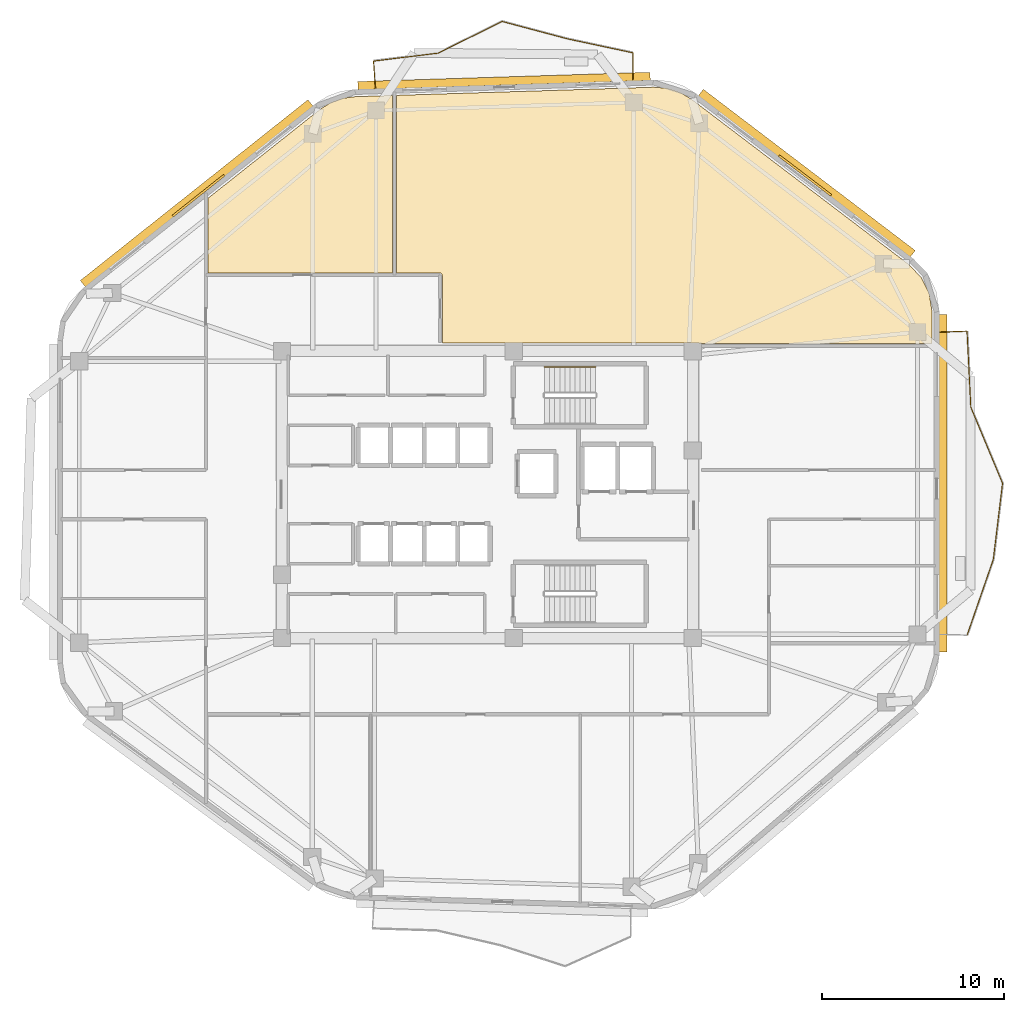
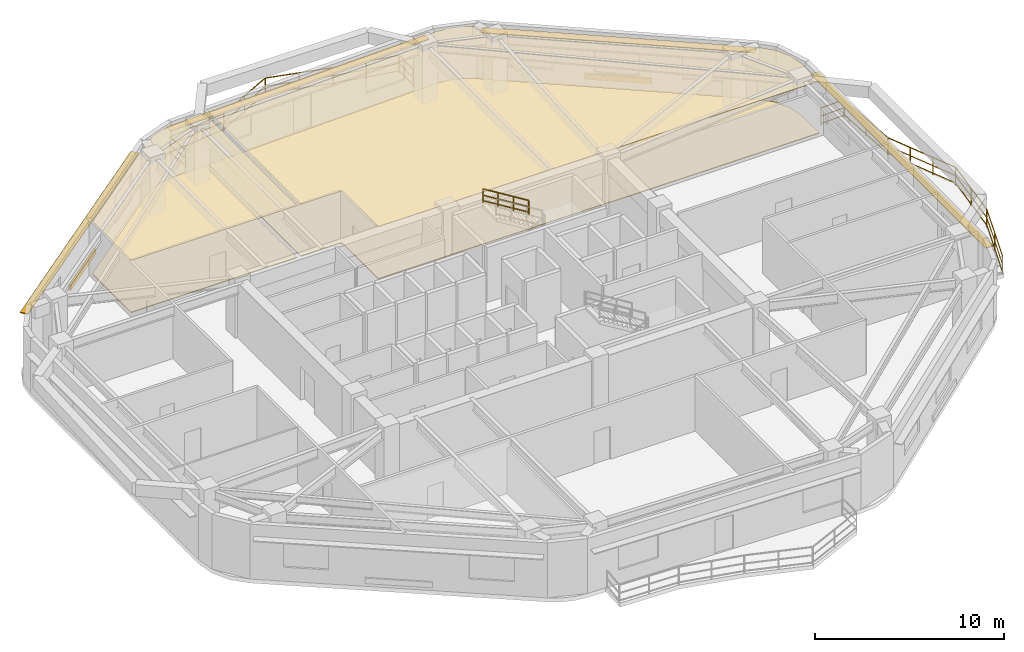
# One storey, part 8 of 8: 12 railings, 6 shading devices, 4 coverings.
"""IFC4 building model written with IfcOpenShell, lengths in metres."""

import ifcopenshell
import ifcopenshell.guid

model = None  # the IFC model being written
_history = None  # IfcOwnerHistory: only IFC2X3 demands one
_inside = {}  # id of a spatial element -> (the spatial element, [elements in it])
_under = {}  # id of a project, library or spatial element -> (it, [spatial elements below it])
_declared = {}  # id of a project -> (the project, [libraries it declares])
_typed = {}  # id of a type object -> (the type object, [elements of that type])
_made_of = {}  # id of a material, layer set ... -> (it, [elements and type objects made of it])


def new_model(schema):
    """Start an empty IFC model of exactly this schema.

    Asked for "IFC4X3", IfcOpenShell would pick the latest addendum, in which some entities
    have other attributes; the version numbers below select the first issue.
    IFC2X3 requires an IfcOwnerHistory on every rooted entity: one is made here for all.
    """
    global model, _history
    if schema == "IFC4X3":
        model = ifcopenshell.file(schema_version=(4, 3, 0, 0))
    else:
        model = ifcopenshell.file(schema=schema)
    _inside.clear()
    _under.clear()
    _declared.clear()
    _typed.clear()
    _made_of.clear()
    _history = None
    if model.schema == "IFC2X3":
        org = make("IfcOrganization", Name="unknown")
        user = make(
            "IfcPersonAndOrganization",
            ThePerson=make("IfcPerson", FamilyName="unknown"),
            TheOrganization=org,
        )
        app = make(
            "IfcApplication",
            ApplicationDeveloper=org,
            Version="unknown",
            ApplicationFullName="unknown",
            ApplicationIdentifier="unknown",
        )
        _history = make(
            "IfcOwnerHistory",
            OwningUser=user,
            OwningApplication=app,
            ChangeAction="ADDED",
            CreationDate=0,
        )
    return model


def make(cls, **values):
    """One entity of the class cls with the attributes given. An attribute that is None is left unset."""
    return model.create_entity(
        cls, **{name: value for name, value in values.items() if value is not None}
    )


def rooted(cls, **values):
    """An entity with a GlobalId (a new one), such as an element, a storey or a relation."""
    return make(cls, GlobalId=ifcopenshell.guid.new(), OwnerHistory=_history, **values)


def si_unit(unit_type, name, prefix=None):
    """IfcSIUnit, for example si_unit("LENGTHUNIT", "METRE", prefix="MILLI")."""
    return make("IfcSIUnit", UnitType=unit_type, Prefix=prefix, Name=name)


def assignment(units):
    """IfcUnitAssignment: the units of a project."""
    return None if units is None else make("IfcUnitAssignment", Units=units)


def point(xyz):
    """IfcCartesianPoint."""
    return None if xyz is None else make("IfcCartesianPoint", Coordinates=xyz)


def direction(xyz):
    """IfcDirection."""
    return None if xyz is None else make("IfcDirection", DirectionRatios=xyz)


def frame(location, z_axis=None, x_axis=None):
    """IfcAxis2Placement3D, a coordinate frame: its origin and axes. An axis left out is left unset."""
    return make(
        "IfcAxis2Placement3D",
        Location=point(location),
        Axis=direction(z_axis),
        RefDirection=direction(x_axis),
    )


def frame_2d(location, x_axis=None):
    """IfcAxis2Placement2D, a coordinate frame in the plane: its origin and x axis."""
    return make(
        "IfcAxis2Placement2D", Location=point(location), RefDirection=direction(x_axis)
    )


def origin():
    """The frame at (0, 0, 0) with its axes left unset."""
    return frame((0.0, 0.0, 0.0))


def origin_2d():
    """The frame at (0, 0) in the plane with its x axis left unset."""
    return frame_2d((0.0, 0.0))


def place(relative_to, where):
    """IfcLocalPlacement: puts the frame where relative to a parent placement (None: the world)."""
    return make(
        "IfcLocalPlacement", PlacementRelTo=relative_to, RelativePlacement=where
    )


def context(
    kind, dimensions, precision=None, world=None, true_north=None, identifier=None
):
    """IfcGeometricRepresentationContext, for example the 3D "Model" context."""
    return make(
        "IfcGeometricRepresentationContext",
        ContextIdentifier=identifier,
        ContextType=kind,
        CoordinateSpaceDimension=dimensions,
        Precision=precision,
        WorldCoordinateSystem=world,
        TrueNorth=true_north,
    )


def subcontext(parent, identifier, kind, view, scale=None):
    """IfcGeometricRepresentationSubContext, for example "Body" below "Model"."""
    return make(
        "IfcGeometricRepresentationSubContext",
        ContextIdentifier=identifier,
        ContextType=kind,
        ParentContext=parent,
        TargetScale=scale,
        TargetView=view,
    )


def project(units=None, contexts=None):
    """IfcProject with its units and contexts."""
    return rooted(
        "IfcProject",
        Name="project",
        RepresentationContexts=contexts,
        UnitsInContext=assignment(units),
    )


def spatial(cls, under=None, at=None, **own):
    """A site, building, storey or space (cls), placed at a placement, below another one or the project."""
    s = rooted(cls, ObjectPlacement=at, **own)
    if under is not None:
        _under.setdefault(under.id(), (under, []))[1].append(s)
    return s


def polyline(points):
    """IfcPolyline through the points."""
    return make("IfcPolyline", Points=[point(p) for p in points])


def profile(cls, at=None, kind="AREA", **sizes):
    """A parametric profile (cls). Its sizes go by their IFC names, for example OverallWidth=200.0."""
    return make(cls, ProfileType=kind, Position=at, **sizes)


def rectangle(**sizes):
    """IfcRectangleProfileDef."""
    return profile("IfcRectangleProfileDef", **sizes)


def outline(outer, holes=None, kind="AREA"):
    """IfcArbitraryClosedProfileDef: a profile drawn as a closed curve; with holes, ...WithVoids."""
    if holes is None:
        return make("IfcArbitraryClosedProfileDef", ProfileType=kind, OuterCurve=outer)
    return make(
        "IfcArbitraryProfileDefWithVoids",
        ProfileType=kind,
        OuterCurve=outer,
        InnerCurves=holes,
    )


def extrude(swept, where, along, depth):
    """IfcExtrudedAreaSolid: the profile swept, set in the frame where, extruded along a direction by depth."""
    return make(
        "IfcExtrudedAreaSolid",
        SweptArea=swept,
        Position=where,
        ExtrudedDirection=direction(along),
        Depth=depth,
    )


def shape(context_of_items, identifier, shape_type, items):
    """IfcShapeRepresentation: the items that make up one representation, for example the "Body"."""
    return make(
        "IfcShapeRepresentation",
        ContextOfItems=context_of_items,
        RepresentationIdentifier=identifier,
        RepresentationType=shape_type,
        Items=items,
    )


def material(Name=None, Category=None):
    """IfcMaterial."""
    return make("IfcMaterial", Name=Name, Category=Category)


def layer(
    of_material, thickness, ventilated=None, Name=None, Category=None, Priority=None
):
    """IfcMaterialLayer: one layer of a wall or slab, of a material (None: an air gap)."""
    return make(
        "IfcMaterialLayer",
        Material=of_material,
        LayerThickness=thickness,
        IsVentilated=ventilated,
        Name=Name,
        Category=Category,
        Priority=Priority,
    )


def layer_set(layers, Name=None):
    """IfcMaterialLayerSet."""
    return make("IfcMaterialLayerSet", MaterialLayers=layers, LayerSetName=Name)


def made_of(thing, what):
    """Note that an element or type object is made of a material, layer set ...; save() writes the relation."""
    if what is not None:
        _made_of.setdefault(what.id(), (what, []))[1].append(thing)
    return thing


def type_object(cls, material=None, **own):
    """A type object (cls), such as IfcWallType, which elements share."""
    return made_of(rooted(cls, **own), material)


def element(
    cls,
    number,
    at=None,
    inside=None,
    cuts=None,
    type_object=None,
    material=None,
    context=None,
    identifier="Body",
    shape_type=None,
    held_by="IfcProductDefinitionShape",
    body=None,
    shapes=None,
    **own,
):
    """One element of the class cls, such as IfcWall. Its Tag is "e" and its number.

    at: its placement. inside: the storey or other place that contains it. cuts: it is an
    opening in that element (IfcRelVoidsElement). A single representation is given by context,
    identifier, shape_type and body (its items); several are given by shapes. held_by: the class
    of the entity that holds the representations. save() writes the other relations.
    """
    e = rooted(cls, Tag="e%d" % number, ObjectPlacement=at, **own)
    if body is not None:
        shapes = [shape(context, identifier, shape_type, body)]
    if shapes is not None:
        e.Representation = make(held_by, Representations=shapes)
    if inside is not None:
        _inside.setdefault(inside.id(), (inside, []))[1].append(e)
    if cuts is not None:
        rooted(
            "IfcRelVoidsElement", RelatingBuildingElement=cuts, RelatedOpeningElement=e
        )
    if type_object is not None:
        _typed.setdefault(type_object.id(), (type_object, []))[1].append(e)
    return made_of(e, material)


def aggregate(whole, parts):
    """IfcRelAggregates: a whole, such as a stair, and the parts it consists of."""
    return rooted("IfcRelAggregates", RelatingObject=whole, RelatedObjects=parts)


def save(model, path):
    """Write the relations noted so far, then the file.

    IfcRelAggregates (storeys below a building ...), IfcRelContainedInSpatialStructure (elements
    in a storey), IfcRelDefinesByType, IfcRelAssociatesMaterial and IfcRelDeclares: one each for
    every whole, place, type object, material and project.
    """
    for whole, parts in _under.values():
        aggregate(whole, parts)
    for where, things in _inside.values():
        rooted(
            "IfcRelContainedInSpatialStructure",
            RelatedElements=things,
            RelatingStructure=where,
        )
    for kind, things in _typed.values():
        rooted("IfcRelDefinesByType", RelatedObjects=things, RelatingType=kind)
    for what, things in _made_of.values():
        rooted("IfcRelAssociatesMaterial", RelatedObjects=things, RelatingMaterial=what)
    for by, libraries in _declared.values():
        rooted("IfcRelDeclares", RelatingContext=by, RelatedDefinitions=libraries)
    model.write(path)


model = new_model("IFC4")

# Units and contexts
model_context = context("Model", 3, precision=1e-05, world=origin(), true_north=direction((0.0, 1.0)))
body_context = subcontext(model_context, "Body", "Model", "MODEL_VIEW")
ifc_project = project(units=[si_unit("LENGTHUNIT", "METRE"), si_unit("AREAUNIT", "SQUARE_METRE"), si_unit("VOLUMEUNIT", "CUBIC_METRE"), si_unit("PLANEANGLEUNIT", "RADIAN"), si_unit("MASSUNIT", "GRAM", prefix="KILO")], contexts=[model_context])

# Site, building, storey
site_placement = place(None, origin())
site = spatial("IfcSite", under=ifc_project, at=site_placement, CompositionType="ELEMENT")
building_placement = place(site_placement, origin())
building = spatial("IfcBuilding", under=site, at=building_placement, Name="Zulverin Broadcast Headquarters", CompositionType="ELEMENT")
storey_placement = place(building_placement, frame((0.0, 0.0, 182.0)))
storey = spatial("IfcBuildingStorey", under=building, at=storey_placement, Name="L46", CompositionType="ELEMENT", Elevation=182.0)

# Coverings
ifc_material_1 = material(Name="Perforated pale-metal acoustic baffle ceiling", Category="aluminium")
ifc_layer_1 = layer(ifc_material_1, 0.0400390625, Name="Perforated pale-metal acoustic baffle ceiling", Category="aluminium")
ifc_layer_set_1 = layer_set([ifc_layer_1], Name="Perforated pale-metal acoustic baffle ceiling")
covering_type_1 = type_object("IfcCoveringType", Name="COV-CEIL-ACOU", PredefinedType="CEILING", material=ifc_layer_set_1)
covering_1_placement = place(storey_placement, frame((0.0, 0.0, 3.360107421875)))
element("IfcCovering", 1, at=covering_1_placement, inside=storey, type_object=covering_type_1, Name="L46 Acoustic Baffle Ceiling 01", PredefinedType="CEILING", context=body_context, shape_type="SweptSolid", body=[
    extrude(outline(polyline([(31.780029296875, 37.3720703125), (31.780029296875, 47.10400390625), (29.73193359375, 47.0400390625), (29.031982421875, 46.944091796875), (28.39599609375, 46.7080078125), (27.800048828125, 46.33203125), (21.66796875, 41.468017578125), (21.66796875, 37.3720703125), (31.780029296875, 37.3720703125)])), origin(), (0.0, 0.0, 1.0), 0.039794921875),
])
covering_2_placement = place(storey_placement, frame((0.0, 0.0, 3.360107421875)))
element("IfcCovering", 2, at=covering_2_placement, inside=storey, type_object=covering_type_1, Name="L46 Acoustic Baffle Ceiling 02", PredefinedType="CEILING", context=body_context, shape_type="SweptSolid", body=[
    extrude(outline(polyline([(34.3720703125, 37.3720703125), (34.384033203125, 37.367919921875), (34.39208984375, 37.367919921875), (34.39990234375, 37.364013671875), (34.407958984375, 37.364013671875), (34.419921875, 37.360107421875), (34.427978515625, 37.35595703125), (34.43603515625, 37.35205078125), (34.447998046875, 37.343994140625), (34.4599609375, 37.3359375), (34.468017578125, 37.327880859375), (34.47607421875, 37.320068359375), (34.48388671875, 37.31201171875), (34.491943359375, 37.300048828125), (34.5, 37.2880859375), (34.50390625, 37.280029296875), (34.508056640625, 37.27197265625), (34.511962890625, 37.263916015625), (34.51611328125, 37.251953125), (34.51611328125, 37.243896484375), (34.52001953125, 37.23193359375), (34.52001953125, 37.219970703125), (34.52001953125, 33.52001953125), (48.568115234375, 33.52001953125), (48.580078125, 33.52001953125), (48.592041015625, 33.51611328125), (48.60009765625, 33.51611328125), (48.612060546875, 33.511962890625), (48.6201171875, 33.508056640625), (48.635986328125, 33.5), (61.39990234375, 33.5), (61.39990234375, 35.239990234375), (61.243896484375, 36.236083984375), (60.81201171875, 37.112060546875), (60.112060546875, 37.840087890625), (48.2080078125, 46.89208984375), (47.568115234375, 47.27587890625), (46.8759765625, 47.49609375), (46.1279296875, 47.56005859375), (43.404052734375, 47.471923828125), (32.02001953125, 47.112060546875), (32.02001953125, 37.3720703125), (34.360107421875, 37.3720703125), (34.3720703125, 37.3720703125)])), origin(), (0.0, 0.0, 1.0), 0.039794921875),
])
ifc_material_2 = material(Name="Anti-static broadcast raised access flooring", Category="stone")
ifc_layer_2 = layer(ifc_material_2, 0.050048828125, Name="Anti-static broadcast raised access flooring", Category="stone")
ifc_layer_set_2 = layer_set([ifc_layer_2], Name="Anti-static broadcast raised access flooring")
covering_type_2 = type_object("IfcCoveringType", Name="COV-FLR-RAISED", PredefinedType="FLOORING", material=ifc_layer_set_2)
covering_3_placement = place(storey_placement, origin())
element("IfcCovering", 3, at=covering_3_placement, inside=storey, type_object=covering_type_2, Name="L46 Broadcast Raised Access Flooring 01", PredefinedType="FLOORING", context=body_context, shape_type="SweptSolid", body=[
    extrude(outline(polyline([(31.780029296875, 37.3720703125), (31.780029296875, 47.10400390625), (29.73193359375, 47.0400390625), (29.031982421875, 46.944091796875), (28.39599609375, 46.7080078125), (27.800048828125, 46.33203125), (21.66796875, 41.468017578125), (21.66796875, 37.3720703125), (31.780029296875, 37.3720703125)])), origin(), (0.0, 0.0, 1.0), 0.050048828125),
])
covering_4_placement = place(storey_placement, origin())
element("IfcCovering", 4, at=covering_4_placement, inside=storey, type_object=covering_type_2, Name="L46 Broadcast Raised Access Flooring 02", PredefinedType="FLOORING", context=body_context, shape_type="SweptSolid", body=[
    extrude(outline(polyline([(34.3720703125, 37.3720703125), (34.384033203125, 37.367919921875), (34.39208984375, 37.367919921875), (34.39990234375, 37.364013671875), (34.407958984375, 37.364013671875), (34.419921875, 37.360107421875), (34.427978515625, 37.35595703125), (34.43603515625, 37.35205078125), (34.447998046875, 37.343994140625), (34.4599609375, 37.3359375), (34.468017578125, 37.327880859375), (34.47607421875, 37.320068359375), (34.48388671875, 37.31201171875), (34.491943359375, 37.300048828125), (34.5, 37.2880859375), (34.50390625, 37.280029296875), (34.508056640625, 37.27197265625), (34.511962890625, 37.263916015625), (34.51611328125, 37.251953125), (34.51611328125, 37.243896484375), (34.52001953125, 37.23193359375), (34.52001953125, 37.219970703125), (34.52001953125, 33.52001953125), (48.568115234375, 33.52001953125), (48.580078125, 33.52001953125), (48.592041015625, 33.51611328125), (48.60009765625, 33.51611328125), (48.612060546875, 33.511962890625), (48.6201171875, 33.508056640625), (48.635986328125, 33.5), (61.39990234375, 33.5), (61.39990234375, 35.239990234375), (61.243896484375, 36.236083984375), (60.81201171875, 37.112060546875), (60.112060546875, 37.840087890625), (48.2080078125, 46.89208984375), (47.568115234375, 47.27587890625), (46.8759765625, 47.49609375), (46.1279296875, 47.56005859375), (43.404052734375, 47.471923828125), (32.02001953125, 47.112060546875), (32.02001953125, 37.3720703125), (34.360107421875, 37.3720703125), (34.3720703125, 37.3720703125)])), origin(), (0.0, 0.0, 1.0), 0.050048828125),
])

# Railings
ifc_material_3 = material(Name="Brushed stainless steel & laminated glass balustrade", Category="steel")
railing_type_1 = type_object("IfcRailingType", Name="RL-GUARD-1150", PredefinedType="GUARDRAIL", material=ifc_material_3)
railing_1_placement = place(storey_placement, frame((63.324951171875, 17.4833984375, 0.0)))
element("IfcRailing", 5, at=railing_1_placement, inside=storey, type_object=railing_type_1, Name="L46 Vertical-Forest Balcony Guardrail BAL_E Segment 02", PredefinedType="GUARDRAIL", context=body_context, shape_type="SweptSolid", body=[
    extrude(rectangle(XDim=0.048095703125, YDim=0.048095703125, at=origin_2d()), frame((0.0, 0.0, 1.1259765625), z_axis=(0.326906098992, 0.94505682498, 0.0), x_axis=(-0.94505682498, 0.326906098992, 0.0)), (0.0, 0.0, 1.0), 4.388427734375),
    extrude(rectangle(XDim=0.0419921875, YDim=0.0419921875, at=origin_2d()), frame((0.0, 0.0, 0.597900390625), z_axis=(0.326906098992, 0.94505682498, 0.0), x_axis=(-0.94505682498, 0.326906098992, 0.0)), (0.0, 0.0, 1.0), 4.388427734375),
    extrude(rectangle(XDim=0.0419921875, YDim=0.0419921875, at=origin_2d()), frame((0.0, 0.0, 0.1201171875), z_axis=(0.326906098992, 0.94505682498, 0.0), x_axis=(-0.94505682498, 0.326906098992, 0.0)), (0.0, 0.0, 1.0), 4.388427734375),
    extrude(rectangle(XDim=0.0419921875, YDim=0.0419921875, at=origin_2d()), origin(), (0.0, 0.0, 1.0), 1.101806640625),
    extrude(rectangle(XDim=0.0419921875, YDim=0.0419921875, at=origin_2d()), frame((0.71728515625, 2.07373046875, 0.0)), (0.0, 0.0, 1.0), 1.101806640625),
    extrude(rectangle(XDim=0.0419921875, YDim=0.0419921875, at=origin_2d()), frame((1.4345703125, 4.147216796875, 0.0)), (0.0, 0.0, 1.0), 1.101806640625),
])
railing_2_placement = place(storey_placement, frame((64.76611328125, 21.65966796875, 0.0)))
element("IfcRailing", 6, at=railing_2_placement, inside=storey, type_object=railing_type_1, Name="L46 Vertical-Forest Balcony Guardrail BAL_E Segment 03", PredefinedType="GUARDRAIL", context=body_context, shape_type="SweptSolid", body=[
    extrude(rectangle(XDim=0.048095703125, YDim=0.048095703125, at=origin_2d()), frame((0.0, 0.0, 1.1259765625), z_axis=(0.12025629247, 0.992742879159, 0.0), x_axis=(-0.992742879159, 0.12025629247, 0.0)), (0.0, 0.0, 1.0), 4.176025390625),
    extrude(rectangle(XDim=0.0419921875, YDim=0.0419921875, at=origin_2d()), frame((0.0, 0.0, 0.597900390625), z_axis=(0.12025629247, 0.992742879159, 0.0), x_axis=(-0.992742879159, 0.12025629247, 0.0)), (0.0, 0.0, 1.0), 4.176025390625),
    extrude(rectangle(XDim=0.0419921875, YDim=0.0419921875, at=origin_2d()), frame((0.0, 0.0, 0.1201171875), z_axis=(0.12025629247, 0.992742879159, 0.0), x_axis=(-0.992742879159, 0.12025629247, 0.0)), (0.0, 0.0, 1.0), 4.176025390625),
    extrude(rectangle(XDim=0.0419921875, YDim=0.0419921875, at=origin_2d()), origin(), (0.0, 0.0, 1.0), 1.101806640625),
    extrude(rectangle(XDim=0.0419921875, YDim=0.0419921875, at=origin_2d()), frame((0.2509765625, 2.07275390625, 0.0)), (0.0, 0.0, 1.0), 1.101806640625),
    extrude(rectangle(XDim=0.0419921875, YDim=0.0419921875, at=origin_2d()), frame((0.502197265625, 4.145751953125, 0.0)), (0.0, 0.0, 1.0), 1.101806640625),
])
railing_3_placement = place(storey_placement, frame((65.26416015625, 25.834228515625, 0.0)))
element("IfcRailing", 7, at=railing_3_placement, inside=storey, type_object=railing_type_1, Name="L46 Vertical-Forest Balcony Guardrail BAL_E Segment 04", PredefinedType="GUARDRAIL", context=body_context, shape_type="SweptSolid", body=[
    extrude(rectangle(XDim=0.048095703125, YDim=0.048095703125, at=origin_2d()), frame((0.0, 0.0, 1.1259765625), z_axis=(-0.38488538083, 0.922964378307, 0.0), x_axis=(-0.922964378307, -0.38488538083, 0.0)), (0.0, 0.0, 1.0), 4.494140625),
    extrude(rectangle(XDim=0.0419921875, YDim=0.0419921875, at=origin_2d()), frame((0.0, 0.0, 0.597900390625), z_axis=(-0.38488538083, 0.922964378307, 0.0), x_axis=(-0.922964378307, -0.38488538083, 0.0)), (0.0, 0.0, 1.0), 4.494140625),
    extrude(rectangle(XDim=0.0419921875, YDim=0.0419921875, at=origin_2d()), frame((0.0, 0.0, 0.1201171875), z_axis=(-0.38488538083, 0.922964378307, 0.0), x_axis=(-0.922964378307, -0.38488538083, 0.0)), (0.0, 0.0, 1.0), 4.494140625),
    extrude(rectangle(XDim=0.0419921875, YDim=0.0419921875, at=origin_2d()), origin(), (0.0, 0.0, 1.0), 1.101806640625),
    extrude(rectangle(XDim=0.0419921875, YDim=0.0419921875, at=origin_2d()), frame((-0.57666015625, 1.382568359375, 0.0)), (0.0, 0.0, 1.0), 1.101806640625),
    extrude(rectangle(XDim=0.0419921875, YDim=0.0419921875, at=origin_2d()), frame((-1.153076171875, 2.765380859375, 0.0)), (0.0, 0.0, 1.0), 1.101806640625),
    extrude(rectangle(XDim=0.0419921875, YDim=0.0419921875, at=origin_2d()), frame((-1.729736328125, 4.14794921875, 0.0)), (0.0, 0.0, 1.0), 1.101806640625),
])
railing_4_placement = place(storey_placement, frame((63.52783203125, 30.010986328125, 0.0)))
element("IfcRailing", 8, at=railing_4_placement, inside=storey, type_object=railing_type_1, Name="L46 Vertical-Forest Balcony Guardrail BAL_E Segment 05", PredefinedType="GUARDRAIL", context=body_context, shape_type="SweptSolid", body=[
    extrude(rectangle(XDim=0.048095703125, YDim=0.048095703125, at=origin_2d()), frame((0.0, 0.0, 1.1259765625), z_axis=(-0.04987894403, 0.998755270796, 0.0), x_axis=(-0.998755270796, -0.04987894403, 0.0)), (0.0, 0.0, 1.0), 4.150634765625),
    extrude(rectangle(XDim=0.0419921875, YDim=0.0419921875, at=origin_2d()), frame((0.0, 0.0, 0.597900390625), z_axis=(-0.04987894403, 0.998755270796, 0.0), x_axis=(-0.998755270796, -0.04987894403, 0.0)), (0.0, 0.0, 1.0), 4.150634765625),
    extrude(rectangle(XDim=0.0419921875, YDim=0.0419921875, at=origin_2d()), frame((0.0, 0.0, 0.1201171875), z_axis=(-0.04987894403, 0.998755270796, 0.0), x_axis=(-0.998755270796, -0.04987894403, 0.0)), (0.0, 0.0, 1.0), 4.150634765625),
    extrude(rectangle(XDim=0.0419921875, YDim=0.0419921875, at=origin_2d()), origin(), (0.0, 0.0, 1.0), 1.101806640625),
    extrude(rectangle(XDim=0.0419921875, YDim=0.0419921875, at=origin_2d()), frame((-0.103515625, 2.07275390625, 0.0)), (0.0, 0.0, 1.0), 1.101806640625),
    extrude(rectangle(XDim=0.0419921875, YDim=0.0419921875, at=origin_2d()), frame((-0.20703125, 4.1455078125, 0.0)), (0.0, 0.0, 1.0), 1.101806640625),
])
railing_5_placement = place(storey_placement, frame((63.304931640625, 34.1708984375, 0.0)))
element("IfcRailing", 9, at=railing_5_placement, inside=storey, type_object=railing_type_1, Name="L46 Vertical-Forest Balcony Guardrail BAL_E Segment 06", PredefinedType="GUARDRAIL", context=body_context, shape_type="SweptSolid", body=[
    extrude(rectangle(XDim=0.048095703125, YDim=0.048095703125, at=origin_2d()), frame((0.0, 0.0, 1.1259765625), z_axis=(-0.99918088253, -0.040466825742, 0.0), x_axis=(0.040466825742, -0.99918088253, 0.0)), (0.0, 0.0, 1.0), 1.466064453125),
    extrude(rectangle(XDim=0.0419921875, YDim=0.0419921875, at=origin_2d()), frame((0.0, 0.0, 0.597900390625), z_axis=(-0.99918088253, -0.040466825742, 0.0), x_axis=(0.040466825742, -0.99918088253, 0.0)), (0.0, 0.0, 1.0), 1.466064453125),
    extrude(rectangle(XDim=0.0419921875, YDim=0.0419921875, at=origin_2d()), frame((0.0, 0.0, 0.1201171875), z_axis=(-0.99918088253, -0.040466825742, 0.0), x_axis=(0.040466825742, -0.99918088253, 0.0)), (0.0, 0.0, 1.0), 1.466064453125),
    extrude(rectangle(XDim=0.0419921875, YDim=0.0419921875, at=origin_2d()), origin(), (0.0, 0.0, 1.0), 1.101806640625),
    extrude(rectangle(XDim=0.0419921875, YDim=0.0419921875, at=origin_2d()), frame((-1.46484375, -0.059326171875, 0.0)), (0.0, 0.0, 1.0), 1.101806640625),
])
railing_6_placement = place(storey_placement, frame((44.978271484375, 47.962646484375, 0.0)))
element("IfcRailing", 10, at=railing_6_placement, inside=storey, type_object=railing_type_1, Name="L46 Vertical-Forest Balcony Guardrail BAL_N Segment 01", PredefinedType="GUARDRAIL", context=body_context, shape_type="SweptSolid", body=[
    extrude(rectangle(XDim=0.048095703125, YDim=0.048095703125, at=origin_2d()), frame((0.0, 0.0, 1.1259765625), z_axis=(0.008825634609, 0.999961053328, 0.0), x_axis=(-0.999961053328, 0.008825634609, 0.0)), (0.0, 0.0, 1.0), 1.466064453125),
    extrude(rectangle(XDim=0.0419921875, YDim=0.0419921875, at=origin_2d()), frame((0.0, 0.0, 0.597900390625), z_axis=(0.008825634609, 0.999961053328, 0.0), x_axis=(-0.999961053328, 0.008825634609, 0.0)), (0.0, 0.0, 1.0), 1.466064453125),
    extrude(rectangle(XDim=0.0419921875, YDim=0.0419921875, at=origin_2d()), frame((0.0, 0.0, 0.1201171875), z_axis=(0.008825634609, 0.999961053328, 0.0), x_axis=(-0.999961053328, 0.008825634609, 0.0)), (0.0, 0.0, 1.0), 1.466064453125),
    extrude(rectangle(XDim=0.0419921875, YDim=0.0419921875, at=origin_2d()), origin(), (0.0, 0.0, 1.0), 1.101806640625),
    extrude(rectangle(XDim=0.0419921875, YDim=0.0419921875, at=origin_2d()), frame((0.012939453125, 1.466064453125, 0.0)), (0.0, 0.0, 1.0), 1.101806640625),
])
railing_7_placement = place(storey_placement, frame((44.9765625, 49.447021484375, 0.0)))
element("IfcRailing", 11, at=railing_7_placement, inside=storey, type_object=railing_type_1, Name="L46 Vertical-Forest Balcony Guardrail BAL_N Segment 02", PredefinedType="GUARDRAIL", context=body_context, shape_type="SweptSolid", body=[
    extrude(rectangle(XDim=0.048095703125, YDim=0.048095703125, at=origin_2d()), frame((0.0, 0.0, 1.1259765625), z_axis=(-0.977973854744, 0.208727428569, 0.0), x_axis=(-0.208727428569, -0.977973854744, 0.0)), (0.0, 0.0, 1.0), 3.639892578125),
    extrude(rectangle(XDim=0.0419921875, YDim=0.0419921875, at=origin_2d()), frame((0.0, 0.0, 0.597900390625), z_axis=(-0.977973854744, 0.208727428569, 0.0), x_axis=(-0.208727428569, -0.977973854744, 0.0)), (0.0, 0.0, 1.0), 3.639892578125),
    extrude(rectangle(XDim=0.0419921875, YDim=0.0419921875, at=origin_2d()), frame((0.0, 0.0, 0.1201171875), z_axis=(-0.977973854744, 0.208727428569, 0.0), x_axis=(-0.208727428569, -0.977973854744, 0.0)), (0.0, 0.0, 1.0), 3.639892578125),
    extrude(rectangle(XDim=0.0419921875, YDim=0.0419921875, at=origin_2d()), origin(), (0.0, 0.0, 1.0), 1.101806640625),
    extrude(rectangle(XDim=0.0419921875, YDim=0.0419921875, at=origin_2d()), frame((-1.77978515625, 0.3798828125, 0.0)), (0.0, 0.0, 1.0), 1.101806640625),
    extrude(rectangle(XDim=0.0419921875, YDim=0.0419921875, at=origin_2d()), frame((-3.559814453125, 0.759765625, 0.0)), (0.0, 0.0, 1.0), 1.101806640625),
])
railing_8_placement = place(storey_placement, frame((41.387451171875, 50.2138671875, 0.0)))
element("IfcRailing", 12, at=railing_8_placement, inside=storey, type_object=railing_type_1, Name="L46 Vertical-Forest Balcony Guardrail BAL_N Segment 03", PredefinedType="GUARDRAIL", context=body_context, shape_type="SweptSolid", body=[
    extrude(rectangle(XDim=0.048095703125, YDim=0.048095703125, at=origin_2d()), frame((0.0, 0.0, 1.1259765625), z_axis=(-0.966353425516, 0.257217917328, 0.0), x_axis=(-0.257217917328, -0.966353425516, 0.0)), (0.0, 0.0, 1.0), 3.6904296875),
    extrude(rectangle(XDim=0.0419921875, YDim=0.0419921875, at=origin_2d()), frame((0.0, 0.0, 0.597900390625), z_axis=(-0.966353425516, 0.257217917328, 0.0), x_axis=(-0.257217917328, -0.966353425516, 0.0)), (0.0, 0.0, 1.0), 3.6904296875),
    extrude(rectangle(XDim=0.0419921875, YDim=0.0419921875, at=origin_2d()), frame((0.0, 0.0, 0.1201171875), z_axis=(-0.966353425516, 0.257217917328, 0.0), x_axis=(-0.257217917328, -0.966353425516, 0.0)), (0.0, 0.0, 1.0), 3.6904296875),
    extrude(rectangle(XDim=0.0419921875, YDim=0.0419921875, at=origin_2d()), origin(), (0.0, 0.0, 1.0), 1.101806640625),
    extrude(rectangle(XDim=0.0419921875, YDim=0.0419921875, at=origin_2d()), frame((-1.783203125, 0.474609375, 0.0)), (0.0, 0.0, 1.0), 1.101806640625),
    extrude(rectangle(XDim=0.0419921875, YDim=0.0419921875, at=origin_2d()), frame((-3.566162109375, 0.94921875, 0.0)), (0.0, 0.0, 1.0), 1.101806640625),
])
railing_9_placement = place(storey_placement, frame((37.793212890625, 51.16015625, 0.0)))
element("IfcRailing", 13, at=railing_9_placement, inside=storey, type_object=railing_type_1, Name="L46 Vertical-Forest Balcony Guardrail BAL_N Segment 04", PredefinedType="GUARDRAIL", context=body_context, shape_type="SweptSolid", body=[
    extrude(rectangle(XDim=0.048095703125, YDim=0.048095703125, at=origin_2d()), frame((0.0, 0.0, 1.1259765625), z_axis=(-0.896079285202, -0.443894035365, 0.0), x_axis=(0.443894035365, -0.896079285202, 0.0)), (0.0, 0.0, 1.0), 3.88671875),
    extrude(rectangle(XDim=0.0419921875, YDim=0.0419921875, at=origin_2d()), frame((0.0, 0.0, 0.597900390625), z_axis=(-0.896079285202, -0.443894035365, 0.0), x_axis=(0.443894035365, -0.896079285202, 0.0)), (0.0, 0.0, 1.0), 3.88671875),
    extrude(rectangle(XDim=0.0419921875, YDim=0.0419921875, at=origin_2d()), frame((0.0, 0.0, 0.1201171875), z_axis=(-0.896079285202, -0.443894035365, 0.0), x_axis=(0.443894035365, -0.896079285202, 0.0)), (0.0, 0.0, 1.0), 3.88671875),
    extrude(rectangle(XDim=0.0419921875, YDim=0.0419921875, at=origin_2d()), origin(), (0.0, 0.0, 1.0), 1.101806640625),
    extrude(rectangle(XDim=0.0419921875, YDim=0.0419921875, at=origin_2d()), frame((-1.741455078125, -0.86279296875, 0.0)), (0.0, 0.0, 1.0), 1.101806640625),
    extrude(rectangle(XDim=0.0419921875, YDim=0.0419921875, at=origin_2d()), frame((-3.48291015625, -1.725341796875, 0.0)), (0.0, 0.0, 1.0), 1.101806640625),
])
railing_10_placement = place(storey_placement, frame((34.281982421875, 49.42626953125, 0.0)))
element("IfcRailing", 14, at=railing_10_placement, inside=storey, type_object=railing_type_1, Name="L46 Vertical-Forest Balcony Guardrail BAL_N Segment 05", PredefinedType="GUARDRAIL", context=body_context, shape_type="SweptSolid", body=[
    extrude(rectangle(XDim=0.048095703125, YDim=0.048095703125, at=origin_2d()), frame((0.0, 0.0, 1.1259765625), z_axis=(-0.992537173274, -0.121942444085, 0.0), x_axis=(0.121942444085, -0.992537173274, 0.0)), (0.0, 0.0, 1.0), 3.547607421875),
    extrude(rectangle(XDim=0.0419921875, YDim=0.0419921875, at=origin_2d()), frame((0.0, 0.0, 0.597900390625), z_axis=(-0.992537173274, -0.121942444085, 0.0), x_axis=(0.121942444085, -0.992537173274, 0.0)), (0.0, 0.0, 1.0), 3.547607421875),
    extrude(rectangle(XDim=0.0419921875, YDim=0.0419921875, at=origin_2d()), frame((0.0, 0.0, 0.1201171875), z_axis=(-0.992537173274, -0.121942444085, 0.0), x_axis=(0.121942444085, -0.992537173274, 0.0)), (0.0, 0.0, 1.0), 3.547607421875),
    extrude(rectangle(XDim=0.0419921875, YDim=0.0419921875, at=origin_2d()), origin(), (0.0, 0.0, 1.0), 1.101806640625),
    extrude(rectangle(XDim=0.0419921875, YDim=0.0419921875, at=origin_2d()), frame((-1.7607421875, -0.21630859375, 0.0)), (0.0, 0.0, 1.0), 1.101806640625),
    extrude(rectangle(XDim=0.0419921875, YDim=0.0419921875, at=origin_2d()), frame((-3.521240234375, -0.4326171875, 0.0)), (0.0, 0.0, 1.0), 1.101806640625),
])
railing_11_placement = place(storey_placement, frame((30.7470703125, 48.976806640625, 0.0)))
element("IfcRailing", 15, at=railing_11_placement, inside=storey, type_object=railing_type_1, Name="L46 Vertical-Forest Balcony Guardrail BAL_N Segment 06", PredefinedType="GUARDRAIL", context=body_context, shape_type="SweptSolid", body=[
    extrude(rectangle(XDim=0.048095703125, YDim=0.048095703125, at=origin_2d()), frame((0.0, 0.0, 1.1259765625), z_axis=(0.072110992432, -0.997396613575, 0.0), x_axis=(0.997396613575, 0.072110992432, 0.0)), (0.0, 0.0, 1.0), 1.466064453125),
    extrude(rectangle(XDim=0.0419921875, YDim=0.0419921875, at=origin_2d()), frame((0.0, 0.0, 0.597900390625), z_axis=(0.072110992432, -0.997396613575, 0.0), x_axis=(0.997396613575, 0.072110992432, 0.0)), (0.0, 0.0, 1.0), 1.466064453125),
    extrude(rectangle(XDim=0.0419921875, YDim=0.0419921875, at=origin_2d()), frame((0.0, 0.0, 0.1201171875), z_axis=(0.072110992432, -0.997396613575, 0.0), x_axis=(0.997396613575, 0.072110992432, 0.0)), (0.0, 0.0, 1.0), 1.466064453125),
    extrude(rectangle(XDim=0.0419921875, YDim=0.0419921875, at=origin_2d()), origin(), (0.0, 0.0, 1.0), 1.101806640625),
    extrude(rectangle(XDim=0.0419921875, YDim=0.0419921875, at=origin_2d()), frame((0.105712890625, -1.462158203125, 0.0)), (0.0, 0.0, 1.0), 1.101806640625),
])
ifc_material_4 = material(Name="Brushed stainless steel 48 mm handrail", Category="steel")
railing_type_2 = type_object("IfcRailingType", Name="RL-ST-HAND", PredefinedType="HANDRAIL", material=ifc_material_4)
railing_12_placement = place(storey_placement, frame((42.929931640625, 32.199951171875, 2.07275390625)))
element("IfcRailing", 16, at=railing_12_placement, inside=storey, type_object=railing_type_2, Name="L46 ST-1 stair handrail 2", PredefinedType="HANDRAIL", context=body_context, shape_type="SweptSolid", body=[
    extrude(rectangle(XDim=0.048095703125, YDim=0.048095703125, at=origin_2d()), frame((0.0, 0.0, 0.8759765625), z_axis=(-0.851089632645, 0.0, 0.525020415988), x_axis=(0.0, -1.0, 0.0)), (0.0, 0.0, 1.0), 3.2900390625),
    extrude(rectangle(XDim=0.0419921875, YDim=0.0419921875, at=origin_2d()), frame((0.0, 0.0, 0.468017578125), z_axis=(-0.851089632645, 0.0, 0.525020415988), x_axis=(0.0, -1.0, 0.0)), (0.0, 0.0, 1.0), 3.2900390625),
    extrude(rectangle(XDim=0.0419921875, YDim=0.0419921875, at=origin_2d()), frame((0.0, 0.0, 0.1201171875), z_axis=(-0.851089632645, 0.0, 0.525020415988), x_axis=(0.0, -1.0, 0.0)), (0.0, 0.0, 1.0), 3.2900390625),
    extrude(rectangle(XDim=0.0419921875, YDim=0.0419921875, at=origin_2d()), origin(), (0.0, 0.0, 1.0), 0.851806640625),
    extrude(rectangle(XDim=0.0419921875, YDim=0.0419921875, at=origin_2d()), frame((-0.933349609375, 0.0, 0.57568359375)), (0.0, 0.0, 1.0), 0.851806640625),
    extrude(rectangle(XDim=0.0419921875, YDim=0.0419921875, at=origin_2d()), frame((-1.86669921875, 0.0, 1.151611328125)), (0.0, 0.0, 1.0), 0.851806640625),
    extrude(rectangle(XDim=0.0419921875, YDim=0.0419921875, at=origin_2d()), frame((-2.800048828125, 0.0, 1.727294921875)), (0.0, 0.0, 1.0), 0.851806640625),
])

# Shading devices
ifc_material_5 = material(Name="Anodized pale-metal aluminium acoustic louvre", Category="aluminium")
shading_device_type_1 = type_object("IfcShadingDeviceType", Name="SHD-LOUVRE-350", PredefinedType="USERDEFINED", material=ifc_material_5)
for number, where, z_axis, x_axis, name in (
    (17, (54.4306640625, 42.713134765625, 0.244873046875), (0.0, 0.0, 1.0), (-0.795836111996, 0.605512083152, 0.0), "L46 Spandrel Intake Louvre 4"),
    (18, (21.1416015625, 41.607421875, 0.244873046875), (0.0, 0.0, 1.0), (-0.783270473924, -0.621681079556, 0.0), "L46 Spandrel Intake Louvre 6"),
):
    element("IfcShadingDevice", number, at=place(storey_placement, frame(where, z_axis=z_axis, x_axis=x_axis)), inside=storey, type_object=shading_device_type_1, Name=name, ObjectType="LOUVRE", PredefinedType="USERDEFINED", context=body_context, shape_type="SweptSolid", body=[
        extrude(rectangle(XDim=3.60009765625, YDim=0.1201171875, at=origin_2d()), origin(), (0.0, 0.0, 1.0), 0.35009765625),
    ])
ifc_material_6 = material(Name="Anodized pale-metal aluminium sunshade", Category="aluminium")
ifc_layer_3 = layer(ifc_material_6, 0.06005859375, Name="Anodized pale-metal aluminium sunshade", Category="aluminium")
ifc_layer_set_3 = layer_set([ifc_layer_3], Name="Anodized pale-metal aluminium sunshade")
shading_device_type_2 = type_object("IfcShadingDeviceType", Name="SS-01_PALE_METAL_ALUMINIUM_SUNSHADE", PredefinedType="USERDEFINED", material=ifc_layer_set_3)
shading_device_1_placement = place(storey_placement, frame((62.0, 25.8203125, 2.7099609375), z_axis=(0.0, 0.0, 1.0), x_axis=(0.0, 1.0, 0.0)))
element("IfcShadingDevice", 19, at=shading_device_1_placement, inside=storey, type_object=shading_device_type_2, Name="L46 Horizontal Pale-Metal Sunshade Band 3", ObjectType="SUNSHADE", PredefinedType="USERDEFINED", context=body_context, shape_type="SweptSolid", body=[
    extrude(rectangle(XDim=18.502197265625, YDim=0.449951171875, at=origin_2d()), origin(), (0.0, 0.0, 1.0), 0.06005859375),
])
shading_device_2_placement = place(storey_placement, frame((54.527587890625, 42.840576171875, 2.7099609375), z_axis=(0.0, 0.0, 1.0), x_axis=(-0.795836111996, 0.605512083152, 0.0)))
element("IfcShadingDevice", 20, at=shading_device_2_placement, inside=storey, type_object=shading_device_type_2, Name="L46 Horizontal Pale-Metal Sunshade Band 4", ObjectType="SUNSHADE", PredefinedType="USERDEFINED", context=body_context, shape_type="SweptSolid", body=[
    extrude(rectangle(XDim=14.61181640625, YDim=0.449951171875, at=origin_2d()), origin(), (0.0, 0.0, 1.0), 0.06005859375),
])
shading_device_3_placement = place(storey_placement, frame((37.910400390625, 47.8984375, 2.7099609375), z_axis=(0.0, 0.0, 1.0), x_axis=(-0.999497141269, -0.031709061709, 0.0)))
element("IfcShadingDevice", 21, at=shading_device_3_placement, inside=storey, type_object=shading_device_type_2, Name="L46 Horizontal Pale-Metal Sunshade Band 5", ObjectType="SUNSHADE", PredefinedType="USERDEFINED", context=body_context, shape_type="SweptSolid", body=[
    extrude(rectangle(XDim=16.052490234375, YDim=0.449951171875, at=origin_2d()), origin(), (0.0, 0.0, 1.0), 0.06005859375),
])
shading_device_4_placement = place(storey_placement, frame((21.0419921875, 41.73291015625, 2.7099609375), z_axis=(0.0, 0.0, 1.0), x_axis=(-0.783270473924, -0.621681079556, 0.0)))
element("IfcShadingDevice", 22, at=shading_device_4_placement, inside=storey, type_object=shading_device_type_2, Name="L46 Horizontal Pale-Metal Sunshade Band 6", ObjectType="SUNSHADE", PredefinedType="USERDEFINED", context=body_context, shape_type="SweptSolid", body=[
    extrude(rectangle(XDim=15.953125, YDim=0.449951171875, at=origin_2d()), origin(), (0.0, 0.0, 1.0), 0.06005859375),
])

save(model, "model.ifc")
